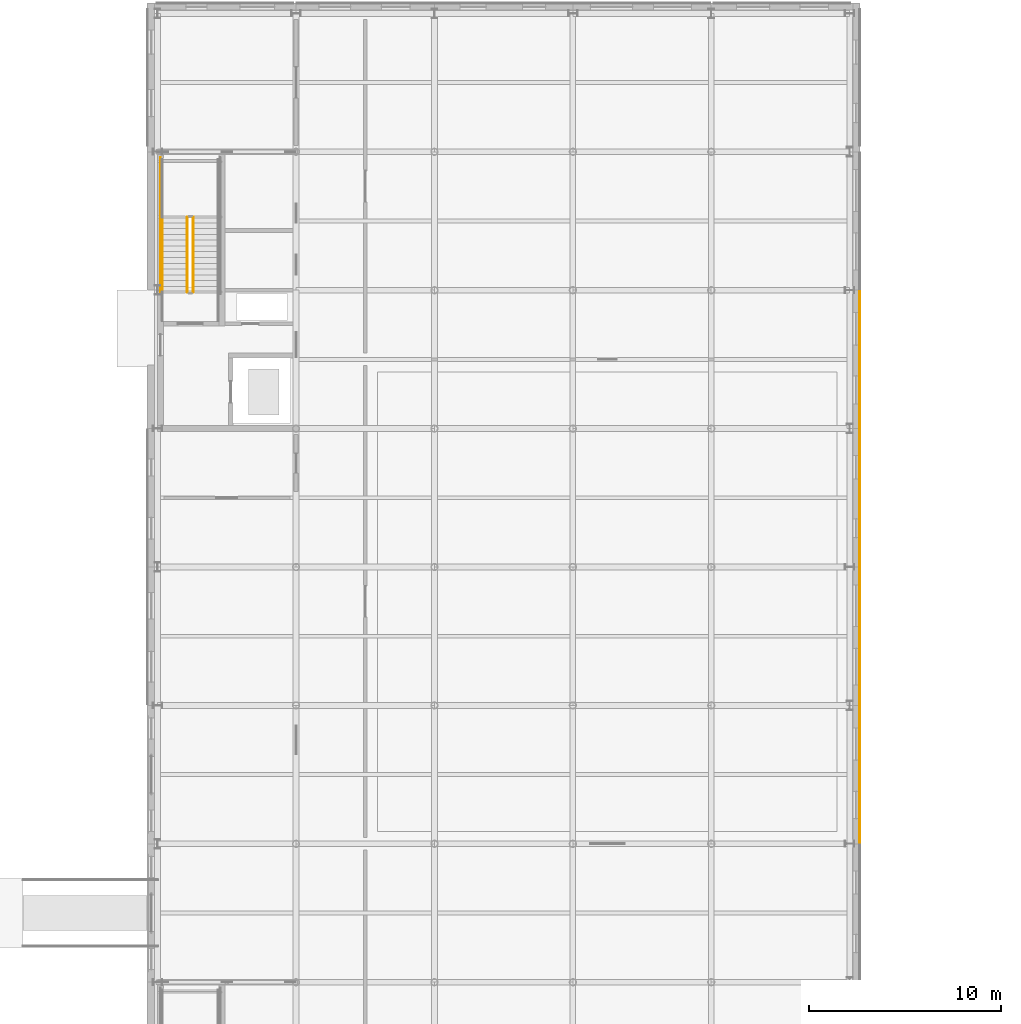
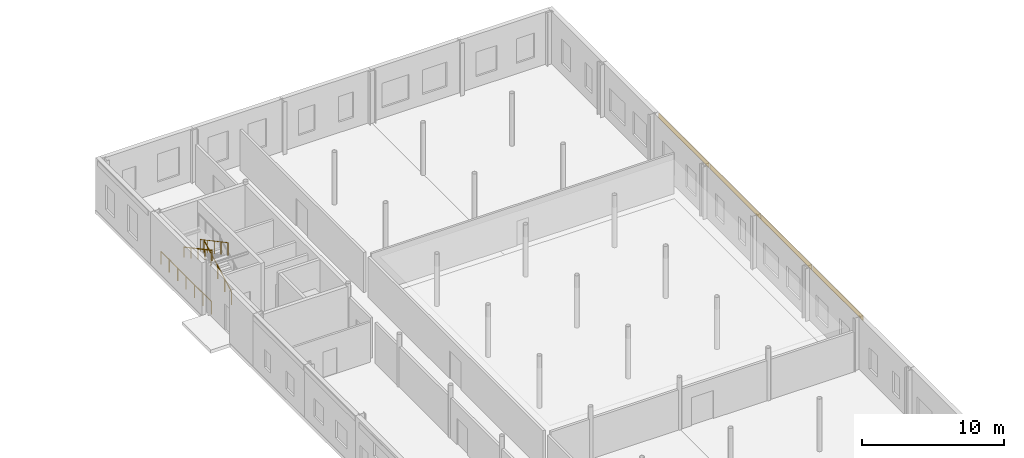
# One storey, part 89 of 92: 4 coverings, 4 railings.
"""IFC4 building model written with IfcOpenShell, lengths in metres."""

from ifc_helpers import new_model, si_unit, direction, frame, origin, origin_2d, place, context, subcontext, project, spatial, rectangle, circle, extrude, material, layer, layer_set, type_object, element, save


model = new_model("IFC4")

# Units and contexts
model_context = context("Model", 3, precision=1e-05, world=origin(), true_north=direction((0.0, 1.0)))
body_context = subcontext(model_context, "Body", "Model", "MODEL_VIEW")
ifc_project = project(units=[si_unit("LENGTHUNIT", "METRE"), si_unit("AREAUNIT", "SQUARE_METRE"), si_unit("VOLUMEUNIT", "CUBIC_METRE"), si_unit("PLANEANGLEUNIT", "RADIAN"), si_unit("MASSUNIT", "GRAM", prefix="KILO")], contexts=[model_context])

# Site, building, storey
site_placement = place(None, origin())
site = spatial("IfcSite", under=ifc_project, at=site_placement, CompositionType="ELEMENT")
building_placement = place(site_placement, origin())
building = spatial("IfcBuilding", under=site, at=building_placement, Name="Zlatovets Crest Museum", CompositionType="ELEMENT")
storey_placement = place(building_placement, origin())
storey = spatial("IfcBuildingStorey", under=building, at=storey_placement, Name="L00", CompositionType="ELEMENT", Elevation=0.0)

# Coverings
ifc_material_1 = material(Name="Polychrome turquoise-gold glazed majolica ceramic frieze")
ifc_layer = layer(ifc_material_1, 0.0400390625)
ifc_layer_set = layer_set([ifc_layer], Name="Polychrome turquoise-gold glazed majolica ceramic frieze")
covering_type = type_object("IfcCoveringType", Name="MajolicaFrieze_CL01", PredefinedType="CLADDING", material=ifc_layer_set)
for number, where, z_axis, x_axis, name in (
    (1, (166.1298828125, 61.199951171875, 4.010009765625), (0.0, 0.0, 1.0), (0.0, 1.0, 0.0), "Sofia Secession Majolica Plinth Frieze"),
    (2, (166.1298828125, 68.39990234375, 4.010009765625), (0.0, 0.0, 1.0), (0.0, 1.0, 0.0), "Sofia Secession Majolica Plinth Frieze"),
    (3, (166.1298828125, 75.60009765625, 4.010009765625), (0.0, 0.0, 1.0), (0.0, 1.0, 0.0), "Sofia Secession Majolica Plinth Frieze"),
    (4, (166.1298828125, 82.800048828125, 4.010009765625), (0.0, 0.0, 1.0), (0.0, 1.0, 0.0), "Sofia Secession Majolica Plinth Frieze"),
):
    element("IfcCovering", number, at=place(storey_placement, frame(where, z_axis=z_axis, x_axis=x_axis)), inside=storey, type_object=covering_type, Name=name, PredefinedType="CLADDING", context=body_context, shape_type="SweptSolid", body=[
        extrude(rectangle(XDim=7.10009765625, YDim=0.0400390625, at=origin_2d()), origin(), (0.0, 0.0, 1.0), 0.419921875),
    ])

# Railings
ifc_material_2 = material(Name="Painted steel safety guardrail", Category="steel")
railing_type_1 = type_object("IfcRailingType", Name="StairGuard_SG01", PredefinedType="GUARDRAIL", material=ifc_material_2)
railing_1_placement = place(storey_placement, frame((131.449951171875, 86.300048828125, 0.16064453125)))
element("IfcRailing", 5, at=railing_1_placement, inside=storey, type_object=railing_type_1, Name="L00 ST8 stair guard 1", PredefinedType="GUARDRAIL", context=body_context, shape_type="SweptSolid", body=[
    extrude(circle(Radius=0.02392578125, at=origin_2d()), frame((0.0, 0.0, 1.076171875), z_axis=(0.0, 0.881468485026, 0.472242850561), x_axis=(-1.0, 0.0, 0.0)), (0.0, 0.0, 1.0), 4.42431640625),
    extrude(circle(Radius=0.02099609375, at=origin_2d()), origin(), (0.0, 0.0, 1.0), 1.052001953125),
    extrude(circle(Radius=0.02099609375, at=origin_2d()), frame((0.0, 0.97509765625, 0.5224609375)), (0.0, 0.0, 1.0), 1.052001953125),
    extrude(circle(Radius=0.02099609375, at=origin_2d()), frame((0.0, 1.949951171875, 1.044677734375)), (0.0, 0.0, 1.0), 1.052001953125),
    extrude(circle(Radius=0.02099609375, at=origin_2d()), frame((0.0, 2.9248046875, 1.56689453125)), (0.0, 0.0, 1.0), 1.052001953125),
    extrude(circle(Radius=0.02099609375, at=origin_2d()), frame((0.0, 3.89990234375, 2.08935546875)), (0.0, 0.0, 1.0), 1.052001953125),
])
railing_2_placement = place(storey_placement, frame((131.14990234375, 90.199951171875, 2.41064453125)))
element("IfcRailing", 6, at=railing_2_placement, inside=storey, type_object=railing_type_1, Name="L00 ST8 stair guard 5", PredefinedType="GUARDRAIL", context=body_context, shape_type="SweptSolid", body=[
    extrude(circle(Radius=0.02392578125, at=origin_2d()), frame((0.0, 0.0, 1.076171875), z_axis=(0.0, -0.881468485026, 0.472242850561), x_axis=(1.0, 0.0, 0.0)), (0.0, 0.0, 1.0), 4.42431640625),
    extrude(circle(Radius=0.02099609375, at=origin_2d()), origin(), (0.0, 0.0, 1.0), 1.052001953125),
    extrude(circle(Radius=0.02099609375, at=origin_2d()), frame((0.0, -0.97509765625, 0.5224609375)), (0.0, 0.0, 1.0), 1.052001953125),
    extrude(circle(Radius=0.02099609375, at=origin_2d()), frame((0.0, -1.949951171875, 1.044677734375)), (0.0, 0.0, 1.0), 1.052001953125),
    extrude(circle(Radius=0.02099609375, at=origin_2d()), frame((0.0, -2.9248046875, 1.56689453125)), (0.0, 0.0, 1.0), 1.052001953125),
    extrude(circle(Radius=0.02099609375, at=origin_2d()), frame((0.0, -3.89990234375, 2.08935546875)), (0.0, 0.0, 1.0), 1.052001953125),
])
railing_3_placement = place(storey_placement, frame((129.75, 86.199951171875, 0.0)))
element("IfcRailing", 7, at=railing_3_placement, inside=storey, type_object=railing_type_1, Name="L00 ST8 stair guard 10", PredefinedType="GUARDRAIL", context=body_context, shape_type="SweptSolid", body=[
    extrude(circle(Radius=0.02392578125, at=origin_2d()), frame((0.0, 0.0, 1.076171875), z_axis=(0.0, 1.0, 0.0), x_axis=(-1.0, 0.0, 0.0)), (0.0, 0.0, 1.0), 7.10009765625),
    extrude(circle(Radius=0.02099609375, at=origin_2d()), origin(), (0.0, 0.0, 1.0), 1.052001953125),
    extrude(circle(Radius=0.02099609375, at=origin_2d()), frame((0.0, 1.183349609375, 0.0)), (0.0, 0.0, 1.0), 1.052001953125),
    extrude(circle(Radius=0.02099609375, at=origin_2d()), frame((0.0, 2.36669921875, 0.0)), (0.0, 0.0, 1.0), 1.052001953125),
    extrude(circle(Radius=0.02099609375, at=origin_2d()), frame((0.0, 3.550048828125, 0.0)), (0.0, 0.0, 1.0), 1.052001953125),
    extrude(circle(Radius=0.02099609375, at=origin_2d()), frame((0.0, 4.7333984375, 0.0)), (0.0, 0.0, 1.0), 1.052001953125),
    extrude(circle(Radius=0.02099609375, at=origin_2d()), frame((0.0, 5.916748046875, 0.0)), (0.0, 0.0, 1.0), 1.052001953125),
    extrude(circle(Radius=0.02099609375, at=origin_2d()), frame((0.0, 7.10009765625, 0.0)), (0.0, 0.0, 1.0), 1.052001953125),
])
ifc_material_3 = material(Name="Brushed bronze stair handrail")
railing_type_2 = type_object("IfcRailingType", Name="StairHandrail_SH01", PredefinedType="HANDRAIL", material=ifc_material_3)
railing_4_placement = place(storey_placement, frame((129.85009765625, 90.199951171875, 2.41064453125)))
element("IfcRailing", 8, at=railing_4_placement, inside=storey, type_object=railing_type_2, Name="L00 ST8 stair handrail 2", PredefinedType="HANDRAIL", context=body_context, shape_type="SweptSolid", body=[
    extrude(circle(Radius=0.02392578125, at=origin_2d()), frame((0.0, 0.0, 0.8759765625), z_axis=(0.0, -0.881468485026, 0.472242850561), x_axis=(1.0, 0.0, 0.0)), (0.0, 0.0, 1.0), 4.42431640625),
    extrude(circle(Radius=0.02099609375, at=origin_2d()), origin(), (0.0, 0.0, 1.0), 0.851806640625),
    extrude(circle(Radius=0.02099609375, at=origin_2d()), frame((0.0, -0.97509765625, 0.5224609375)), (0.0, 0.0, 1.0), 0.851806640625),
    extrude(circle(Radius=0.02099609375, at=origin_2d()), frame((0.0, -1.949951171875, 1.044677734375)), (0.0, 0.0, 1.0), 0.851806640625),
    extrude(circle(Radius=0.02099609375, at=origin_2d()), frame((0.0, -2.9248046875, 1.56689453125)), (0.0, 0.0, 1.0), 0.851806640625),
    extrude(circle(Radius=0.02099609375, at=origin_2d()), frame((0.0, -3.89990234375, 2.08935546875)), (0.0, 0.0, 1.0), 0.851806640625),
])

save(model, "model.ifc")
